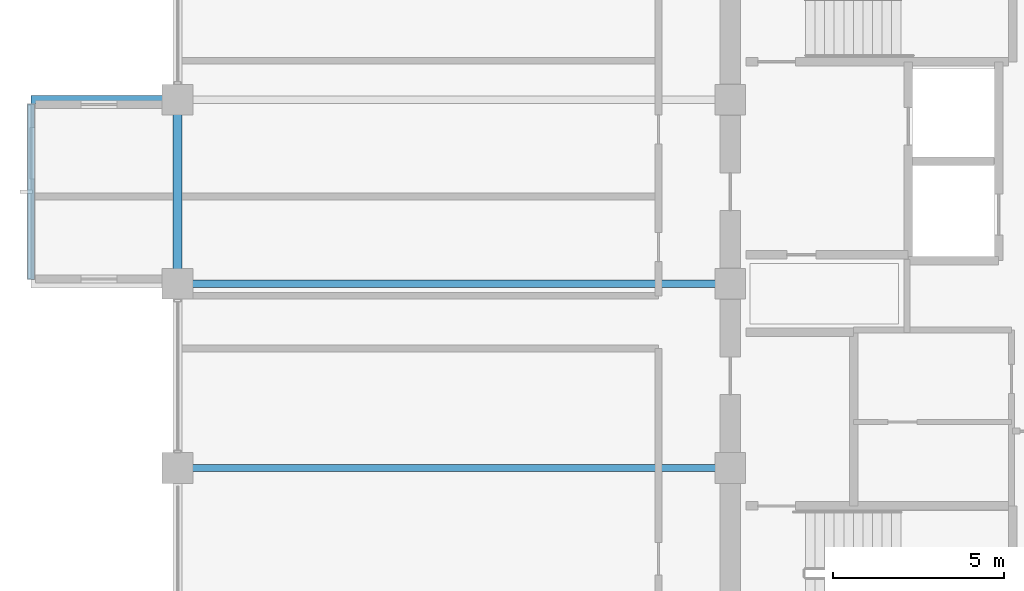
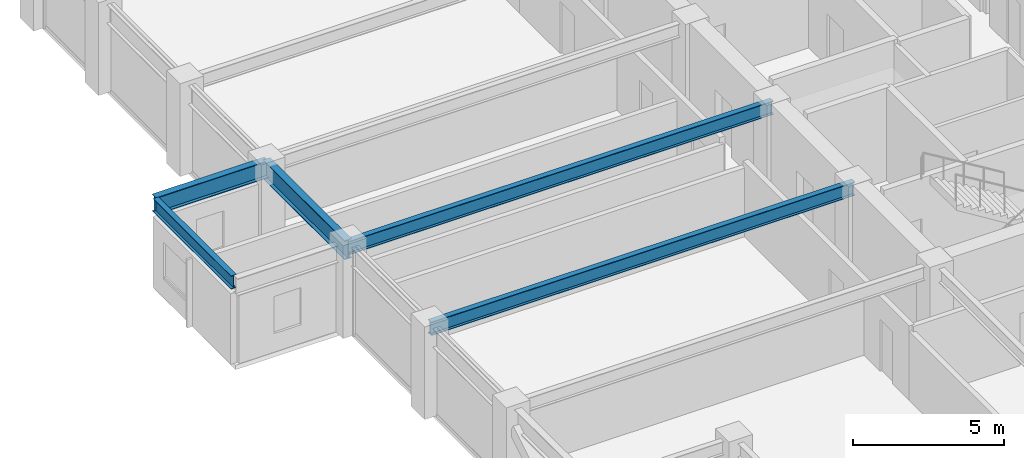
# One storey, part 6 of 28: 5 beams.
"""IFC4 building model written with IfcOpenShell, lengths in metres."""

from ifc_helpers import new_model, si_unit, direction, frame, origin, origin_2d, place, context, subcontext, project, spatial, i_section, extrude, material, material_profile, profile_set, type_object, element, save


model = new_model("IFC4")

# Units and contexts
model_context = context("Model", 3, precision=1e-05, world=origin(), true_north=direction((0.0, 1.0)))
body_context = subcontext(model_context, "Body", "Model", "MODEL_VIEW")
ifc_project = project(units=[si_unit("LENGTHUNIT", "METRE"), si_unit("AREAUNIT", "SQUARE_METRE"), si_unit("VOLUMEUNIT", "CUBIC_METRE"), si_unit("PLANEANGLEUNIT", "RADIAN"), si_unit("MASSUNIT", "GRAM", prefix="KILO")], contexts=[model_context])

# Site, building, storey
site_placement = place(None, origin())
site = spatial("IfcSite", under=ifc_project, at=site_placement, CompositionType="ELEMENT")
building_placement = place(site_placement, origin())
building = spatial("IfcBuilding", under=site, at=building_placement, Name="Surkhivell Harbour Commons", CompositionType="ELEMENT")
storey_placement = place(building_placement, frame((0.0, 0.0, 178.5)))
storey = spatial("IfcBuildingStorey", under=building, at=storey_placement, Name="L46", CompositionType="ELEMENT", Elevation=178.5)

# Beams
ifc_material_1 = material(Name="Steel S460", Category="steel")
ifc_material_profile_1 = material_profile(ifc_material_1, i_section(OverallWidth=0.256103515625, OverallDepth=0.693115234375, WebThickness=0.014404296875, FlangeThickness=0.023681640625, at=origin_2d()), Name="UB686x254x170")
ifc_profile_set_1 = profile_set([ifc_material_profile_1], Name="Steel S460")
beam_type_1 = type_object("IfcBeamType", Name="BM-CNT-686", PredefinedType="BEAM", material=ifc_profile_set_1)
beam_1_placement = place(storey_placement, frame((-27.0, 5.39990234375, 3.223388671875), z_axis=(-1.0, 0.0, 0.0), x_axis=(0.0, -1.0, 0.0)))
element("IfcBeam", 1, at=beam_1_placement, inside=storey, type_object=beam_type_1, Name="L46 Box Cantilever Outrigger (-27.0,5.4)", PredefinedType="BEAM", context=body_context, shape_type="SweptSolid", body=[
    extrude(i_section(OverallWidth=0.256103515625, OverallDepth=0.693115234375, WebThickness=0.014404296875, FlangeThickness=0.023681640625, at=origin_2d()), origin(), (0.0, 0.0, 1.0), 4.300048828125),
])
ifc_material_2 = material(Name="Steel S355", Category="steel")
ifc_material_profile_2 = material_profile(ifc_material_2, i_section(OverallWidth=0.2119140625, OverallDepth=0.5439453125, WebThickness=0.0126953125, FlangeThickness=0.021240234375, at=origin_2d()), Name="UB533x210x122")
ifc_profile_set_2 = profile_set([ifc_material_profile_2], Name="Steel S355")
beam_type_2 = type_object("IfcBeamType", Name="BM-GRD-533A", PredefinedType="BEAM", material=ifc_profile_set_2)
for number, where, z_axis, x_axis, name in (
    (2, (-27.0, 0.0, 3.298095703125), (1.0, 0.0, 0.0), (0.0, 1.0, 0.0), "L46 Cantilever Back-Span Girder (-27.0,0.0)"),
    (3, (-27.0, -5.39990234375, 3.298095703125), (1.0, 0.0, 0.0), (0.0, 1.0, 0.0), "L46 Floor Girder (-27.0,-5.4)"),
):
    element("IfcBeam", number, at=place(storey_placement, frame(where, z_axis=z_axis, x_axis=x_axis)), inside=storey, type_object=beam_type_2, Name=name, PredefinedType="BEAM", context=body_context, shape_type="SweptSolid", body=[
        extrude(i_section(OverallWidth=0.2119140625, OverallDepth=0.5439453125, WebThickness=0.0126953125, FlangeThickness=0.021240234375, at=origin_2d()), origin(), (0.0, 0.0, 1.0), 16.199951171875),
    ])
ifc_material_profile_3 = material_profile(ifc_material_2, i_section(OverallWidth=0.2099609375, OverallDepth=0.537109375, WebThickness=0.0107421875, FlangeThickness=0.017333984375, at=origin_2d()), Name="UB533x210x101")
ifc_profile_set_3 = profile_set([ifc_material_profile_3], Name="Steel S355")
beam_type_3 = type_object("IfcBeamType", Name="BM-GRD-533B", PredefinedType="BEAM", material=ifc_profile_set_3)
beam_2_placement = place(storey_placement, frame((-31.300048828125, 0.1220703125, 3.301513671875), z_axis=(0.0, 1.0, 0.0), x_axis=(-1.0, 0.0, 0.0)))
element("IfcBeam", 4, at=beam_2_placement, inside=storey, type_object=beam_type_3, Name="L46 Box Rim Spandrel (-31.3,0.0)", PredefinedType="BEAM", context=body_context, shape_type="SweptSolid", body=[
    extrude(i_section(OverallWidth=0.2099609375, OverallDepth=0.537109375, WebThickness=0.0107421875, FlangeThickness=0.017333984375, at=origin_2d()), origin(), (0.0, 0.0, 1.0), 5.156005859375),
])
ifc_material_profile_4 = material_profile(ifc_material_2, i_section(OverallWidth=0.26806640625, OverallDepth=0.77001953125, WebThickness=0.015625, FlangeThickness=0.025390625, at=origin_2d()), Name="UB762x267x197")
ifc_profile_set_4 = profile_set([ifc_material_profile_4], Name="Steel S355")
beam_type_4 = type_object("IfcBeamType", Name="BM-SPN-762", PredefinedType="SPANDREL", material=ifc_profile_set_4)
beam_3_placement = place(storey_placement, frame((-27.0, 0.0, 3.18505859375), z_axis=(0.0, 1.0, 0.0), x_axis=(-1.0, 0.0, 0.0)))
element("IfcBeam", 5, at=beam_3_placement, inside=storey, type_object=beam_type_4, Name="L46 Tube Spandrel (-27.0,0.0)", PredefinedType="SPANDREL", context=body_context, shape_type="SweptSolid", body=[
    extrude(i_section(OverallWidth=0.26806640625, OverallDepth=0.77001953125, WebThickness=0.015625, FlangeThickness=0.025390625, at=origin_2d()), origin(), (0.0, 0.0, 1.0), 5.39990234375),
])

save(model, "model.ifc")
